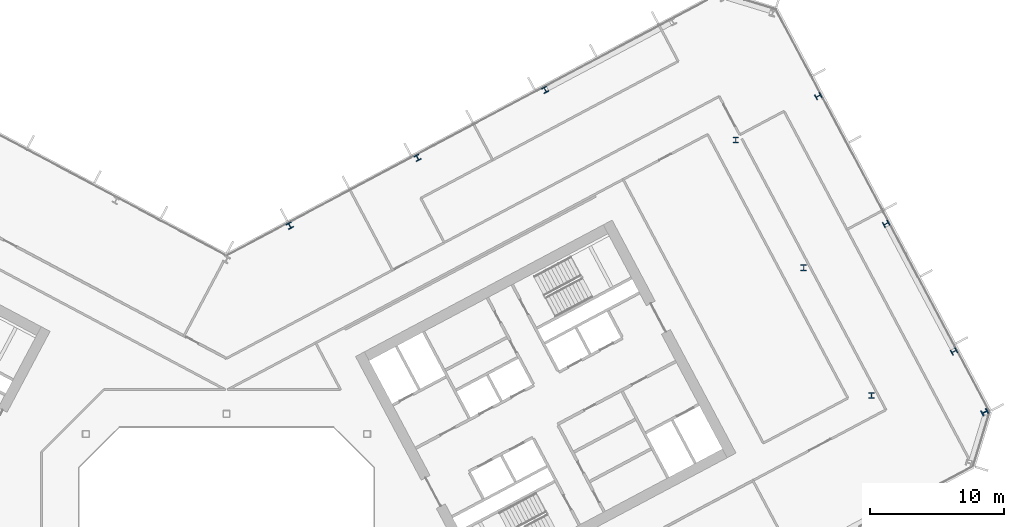
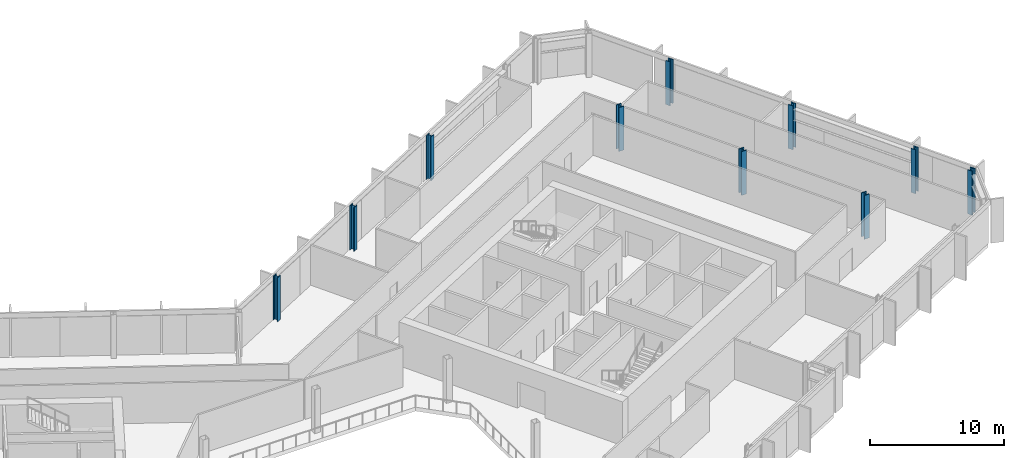
# One storey, part 7 of 28: 10 columns.
"""IFC4 building model written with IfcOpenShell, lengths in metres."""

from ifc_helpers import new_model, si_unit, direction, frame, origin, origin_2d, place, context, subcontext, project, spatial, i_section, extrude, material, material_profile, profile_set, type_object, element, save


model = new_model("IFC4")

# Units and contexts
model_context = context("Model", 3, precision=1e-05, world=origin(), true_north=direction((0.0, 1.0)))
body_context = subcontext(model_context, "Body", "Model", "MODEL_VIEW")
ifc_project = project(units=[si_unit("LENGTHUNIT", "METRE"), si_unit("AREAUNIT", "SQUARE_METRE"), si_unit("VOLUMEUNIT", "CUBIC_METRE"), si_unit("PLANEANGLEUNIT", "RADIAN"), si_unit("MASSUNIT", "GRAM", prefix="KILO")], contexts=[model_context])

# Site, building, storey
site_placement = place(None, origin())
site = spatial("IfcSite", under=ifc_project, at=site_placement, CompositionType="ELEMENT")
building_placement = place(site_placement, origin())
building = spatial("IfcBuilding", under=site, at=building_placement, Name="Cormorant Relay Tower", CompositionType="ELEMENT")
storey_placement = place(building_placement, frame((0.0, 0.0, 134.199951171875)))
storey = spatial("IfcBuildingStorey", under=building, at=storey_placement, Name="L27", CompositionType="ELEMENT", Elevation=134.199951171875)

# Columns
ifc_material_1 = material(Name="Steel ASTM A992 (Fy 345 MPa)", Category="steel")
ifc_material_profile_1 = material_profile(ifc_material_1, i_section(OverallWidth=0.41162109375, OverallDepth=0.434326171875, WebThickness=0.035888671875, FlangeThickness=0.057373046875, FilletRadius=0.01513671875, at=origin_2d()), Name="W360x463")
ifc_profile_set_1 = profile_set([ifc_material_profile_1], Name="Steel ASTM A992 (Fy 345 MPa)")
column_type_1 = type_object("IfcColumnType", Name="Column W360x463", PredefinedType="COLUMN", material=ifc_profile_set_1)
for number, where, z_axis, x_axis, name in (
    (1, (54.321044921875, 16.65087890625, 0.0), (0.0, 0.0, 1.0), (-0.469471562786, 0.882947592859, 0.0), "Column L27-029"),
    (2, (4.72509765625, 26.047119140625, 0.0), (0.0, 0.0, 1.0), (-0.882947592859, -0.469471562786, 0.0), "Column L27-034"),
    (3, (49.2509765625, 26.18701171875, 0.0), (0.0, 0.0, 1.0), (-0.469471562786, 0.882947592859, 0.0), "Column L27-035"),
    (4, (14.260986328125, 31.116943359375, 0.0), (0.0, 0.0, 1.0), (-0.882947592859, -0.469471562786, 0.0), "Column L27-038"),
    (5, (44.180908203125, 35.722900390625, 0.0), (0.0, 0.0, 1.0), (-0.469471562786, 0.882947592859, 0.0), "Column L27-042"),
    (6, (23.7958984375, 36.18798828125, 0.0), (0.0, 0.0, 1.0), (-0.882947592859, -0.469471562786, 0.0), "Column L27-043"),
):
    element("IfcColumn", number, at=place(storey_placement, frame(where, z_axis=z_axis, x_axis=x_axis)), inside=storey, type_object=column_type_1, Name=name, PredefinedType="COLUMN", context=body_context, shape_type="SweptSolid", body=[
        extrude(i_section(OverallWidth=0.41162109375, OverallDepth=0.434326171875, WebThickness=0.035888671875, FlangeThickness=0.057373046875, FilletRadius=0.01513671875, at=origin_2d()), origin(), (0.0, 0.0, 1.0), 4.0),
    ])
ifc_material_2 = material(Name="Steel ASTM A992 (Fy 345 MPa)", Category="steel")
ifc_material_profile_2 = material_profile(ifc_material_2, i_section(OverallWidth=0.42431640625, OverallDepth=0.47509765625, WebThickness=0.0478515625, FlangeThickness=0.0771484375, FilletRadius=0.014892578125, at=origin_2d()), Name="W360x634")
ifc_profile_set_2 = profile_set([ifc_material_profile_2], Name="Steel ASTM A992 (Fy 345 MPa)")
column_type_2 = type_object("IfcColumnType", Name="Column W360x634", PredefinedType="COLUMN", material=ifc_profile_set_2)
for number, where, z_axis, x_axis, name in (
    (7, (56.60791015625, 12.1298828125, 0.0), (0.0, 0.0, 1.0), (-0.469471562786, 0.882947592859, 0.0), "Column L27-026"),
    (8, (48.157958984375, 13.3740234375, 0.0), (0.0, 0.0, 1.0), (1.0, 0.0, 0.0), "Column L27-027"),
    (9, (43.087890625, 22.909912109375, 0.0), (0.0, 0.0, 1.0), (1.0, 0.0, 0.0), "Column L27-031"),
    (10, (38.01806640625, 32.446044921875, 0.0), (0.0, 0.0, 1.0), (1.0, 0.0, 0.0), "Column L27-039"),
):
    element("IfcColumn", number, at=place(storey_placement, frame(where, z_axis=z_axis, x_axis=x_axis)), inside=storey, type_object=column_type_2, Name=name, PredefinedType="COLUMN", context=body_context, shape_type="SweptSolid", body=[
        extrude(i_section(OverallWidth=0.42431640625, OverallDepth=0.47509765625, WebThickness=0.0478515625, FlangeThickness=0.0771484375, FilletRadius=0.014892578125, at=origin_2d()), origin(), (0.0, 0.0, 1.0), 4.0),
    ])

save(model, "model.ifc")
